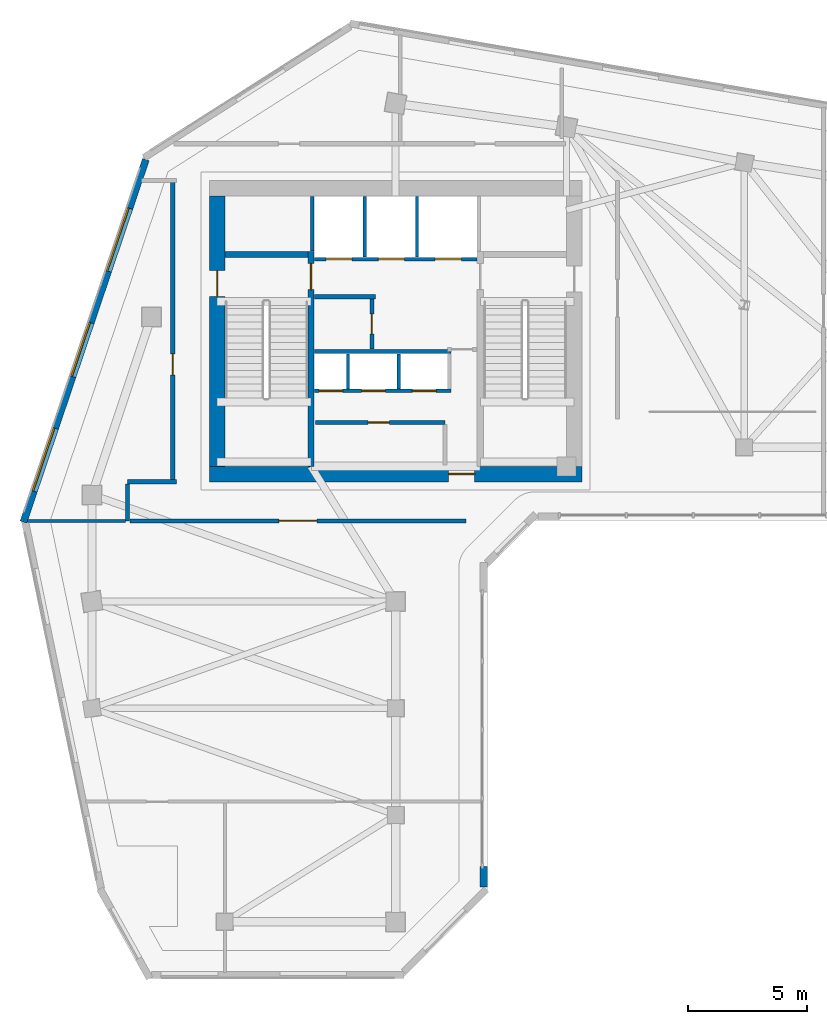
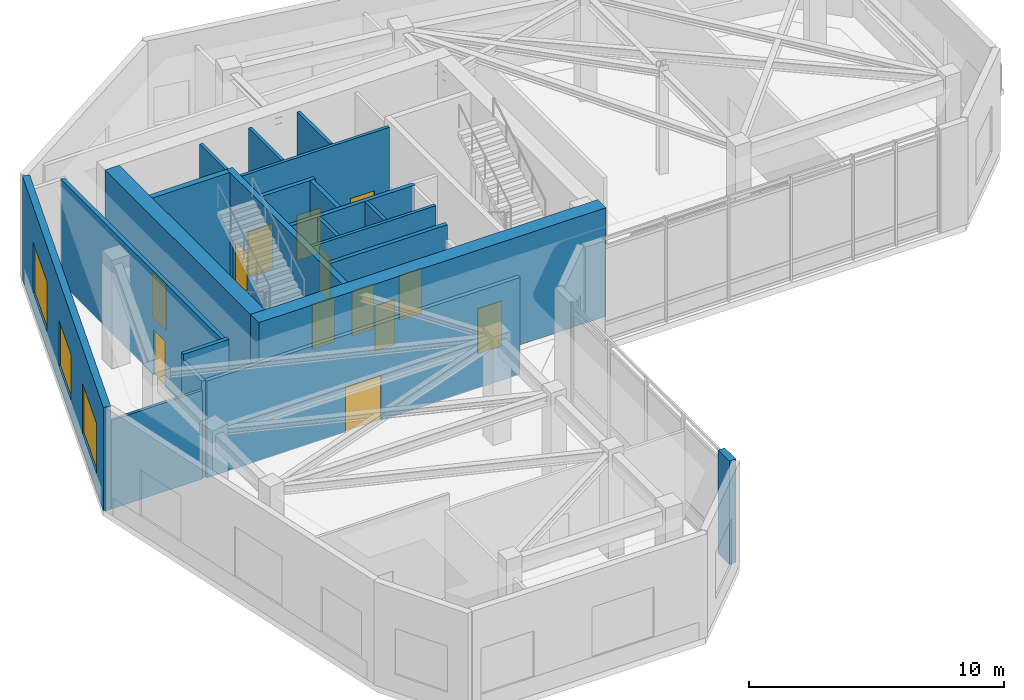
# One storey, part 5 of 10: 22 walls, 13 doors, 3 windows, 16 openings.
"""IFC4 building model written with IfcOpenShell, lengths in metres."""

from ifc_helpers import new_model, si_unit, direction, frame, frame_2d, origin, place, context, subcontext, project, spatial, rectangle, extrude, source, transform, mapped, material, layer, layer_set, type_object, element, fill, save


model = new_model("IFC4")

# Units and contexts
model_context = context("Model", 3, precision=1e-05, world=origin(), true_north=direction((0.0, 1.0)))
body_context = subcontext(model_context, "Body", "Model", "MODEL_VIEW")
ifc_project = project(units=[si_unit("LENGTHUNIT", "METRE"), si_unit("AREAUNIT", "SQUARE_METRE"), si_unit("VOLUMEUNIT", "CUBIC_METRE"), si_unit("PLANEANGLEUNIT", "RADIAN"), si_unit("MASSUNIT", "GRAM", prefix="KILO")], contexts=[model_context])

# Site, building, storey
site_placement = place(None, origin())
site = spatial("IfcSite", under=ifc_project, at=site_placement, CompositionType="ELEMENT")
building_placement = place(site_placement, origin())
building = spatial("IfcBuilding", under=site, at=building_placement, Name="Calvemar Wedge Station Tower", CompositionType="ELEMENT")
storey_placement = place(building_placement, frame((0.0, 0.0, 178.199951171875)))
storey = spatial("IfcBuildingStorey", under=building, at=storey_placement, Name="L44", CompositionType="ELEMENT", Elevation=178.199951171875)

# Wall, opening, door
ifc_material_1 = material(Name="Concrete C50", Category="concrete")
ifc_layer_1 = layer(ifc_material_1, 0.260009765625)
ifc_layer_set_1 = layer_set([ifc_layer_1], Name="Concrete C50")
wall_type_1 = type_object("IfcWallType", Name="SW-CORE-260", PredefinedType="SHEAR", material=ifc_layer_set_1)
wall_1_placement = place(storey_placement, frame((20.22998046875, 34.199951171875, 0.0), z_axis=(0.0, 0.0, 1.0), x_axis=(0.0, 1.0, 0.0)))
wall_1 = element("IfcWall", 1, at=wall_1_placement, inside=storey, type_object=wall_type_1, Name="Storey L44 Core Shear Wall SPINE-W", PredefinedType="SHEAR", context=body_context, shape_type="SweptSolid", body=[
    extrude(rectangle(XDim=9.06005859375, YDim=0.260009765625, at=frame_2d((4.530029296875, 0.0))), origin(), (0.0, 0.0, 1.0), 5.199951171875),
])
shared_shape_1 = source(origin(), body_context, "Body", "SweptSolid", [
    extrude(rectangle(XDim=1.10009765625, YDim=2.14990234375, at=frame_2d((0.550048828125, 1.074951171875))), frame((0.0, 0.14013671875, 0.0), z_axis=(0.0, -1.0, 0.0), x_axis=(1.0, 0.0, 0.0)), (0.0, 0.0, 1.0), 0.280029296875),
])
opening_1_placement = place(wall_1_placement, frame((7.449951171875, 0.0, 0.0)))
opening_1 = element("IfcOpeningElement", 2, at=opening_1_placement, cuts=wall_1, Name="Opening FD-90", PredefinedType="OPENING", context=body_context, shape_type="MappedRepresentation", body=[
    mapped(shared_shape_1, transform((0.0, 0.0, 0.0), scale=1.0)),
])
ifc_material_2 = material(Name="Galvanized fire-rated steel door leaf P-90", Category="steel")
door_type_1 = type_object("IfcDoorType", Name="DR-FD90-1100", OperationType="NOTDEFINED", PredefinedType="DOOR", material=ifc_material_2)
shared_shape_2 = source(origin(), body_context, "Body", "SweptSolid", [
    extrude(rectangle(XDim=1.10009765625, YDim=2.14990234375, at=frame_2d((0.550048828125, 1.074951171875))), frame((0.0, 0.02490234375, 0.0), z_axis=(0.0, -1.0, 0.0), x_axis=(1.0, 0.0, 0.0)), (0.0, 0.0, 1.0), 0.050048828125),
])
door_1_placement = place(opening_1_placement, origin())
door_1 = element("IfcDoor", 3, at=door_1_placement, inside=storey, type_object=door_type_1, Name="L44 FF Lobby to Stair ST-C1 Door", OperationType="SINGLE_SWING_LEFT", OverallHeight=2.14990234375, OverallWidth=1.10009765625, PredefinedType="DOOR", context=body_context, shape_type="MappedRepresentation", body=[
    mapped(shared_shape_2, transform((0.0, 0.0, 0.0), scale=1.0)),
])
fill(opening_1, door_1)

# Wall
wall_2_placement = place(storey_placement, frame((16.60009765625, 43.1298828125, 0.0), z_axis=(0.0, 0.0, 1.0), x_axis=(1.0, 0.0, 0.0)))
element("IfcWall", 4, at=wall_2_placement, inside=storey, type_object=wall_type_1, Name="Storey L44 Core Shear Wall STC1-N", PredefinedType="SHEAR", context=body_context, shape_type="SweptSolid", body=[
    extrude(rectangle(XDim=3.5, YDim=0.260009765625, at=frame_2d((1.75, 0.0))), origin(), (0.0, 0.0, 1.0), 5.199951171875),
])

# Wall, opening, door
ifc_material_3 = material(Name="Concrete C60", Category="concrete")
ifc_layer_2 = layer(ifc_material_3, 0.64990234375)
ifc_layer_set_2 = layer_set([ifc_layer_2], Name="Concrete C60")
wall_type_2 = type_object("IfcWallType", Name="SW-CORE-650", PredefinedType="SHEAR", material=ifc_layer_set_2)
wall_3_placement = place(storey_placement, frame((15.949951171875, 33.875, 0.0), z_axis=(0.0, 0.0, 1.0), x_axis=(1.0, 0.0, 0.0)))
wall_3 = element("IfcWall", 5, at=wall_3_placement, inside=storey, type_object=wall_type_2, Name="Storey L44 Core Shear Wall S", PredefinedType="SHEAR", context=body_context, shape_type="SweptSolid", body=[
    extrude(rectangle(XDim=15.699951171875, YDim=0.64990234375, at=frame_2d((7.85009765625, 0.0))), origin(), (0.0, 0.0, 1.0), 5.199951171875),
])
shared_shape_3 = source(origin(), body_context, "Body", "SweptSolid", [
    extrude(rectangle(XDim=1.10009765625, YDim=2.14990234375, at=frame_2d((0.550048828125, 1.074951171875))), frame((0.0, 0.3349609375, 0.0), z_axis=(0.0, -1.0, 0.0), x_axis=(1.0, 0.0, 0.0)), (0.0, 0.0, 1.0), 0.669921875),
])
opening_2_placement = place(wall_3_placement, frame((10.080078125, 0.0, 0.0)))
opening_2 = element("IfcOpeningElement", 6, at=opening_2_placement, cuts=wall_3, Name="Opening FD-90", PredefinedType="OPENING", context=body_context, shape_type="MappedRepresentation", body=[
    mapped(shared_shape_3, transform((0.0, 0.0, 0.0), scale=1.0)),
])
door_2_placement = place(opening_2_placement, origin())
door_2 = element("IfcDoor", 7, at=door_2_placement, inside=storey, type_object=door_type_1, Name="L44 Passenger Lift Lobby Door", OperationType="SINGLE_SWING_LEFT", OverallHeight=2.14990234375, OverallWidth=1.10009765625, PredefinedType="DOOR", context=body_context, shape_type="MappedRepresentation", body=[
    mapped(shared_shape_2, transform((0.0, 0.0, 0.0), scale=1.0)),
])
fill(opening_2, door_2)

wall_4_placement = place(storey_placement, frame((16.27490234375, 34.199951171875, 0.0), z_axis=(0.0, 0.0, 1.0), x_axis=(0.0, 1.0, 0.0)))
wall_4 = element("IfcWall", 8, at=wall_4_placement, inside=storey, type_object=wall_type_2, Name="Storey L44 Core Shear Wall W", PredefinedType="SHEAR", context=body_context, shape_type="SweptSolid", body=[
    extrude(rectangle(XDim=11.400146484375, YDim=0.64990234375, at=frame_2d((5.7001953125, 0.0))), origin(), (0.0, 0.0, 1.0), 5.199951171875),
])
opening_3_placement = place(wall_4_placement, frame((7.14990234375, 0.0, 0.0)))
opening_3 = element("IfcOpeningElement", 9, at=opening_3_placement, cuts=wall_4, Name="Opening FD-90", PredefinedType="OPENING", context=body_context, shape_type="MappedRepresentation", body=[
    mapped(shared_shape_3, transform((0.0, 0.0, 0.0), scale=1.0)),
])
door_3_placement = place(opening_3_placement, origin())
door_3 = element("IfcDoor", 10, at=door_3_placement, inside=storey, type_object=door_type_1, Name="L44 West Corridor to Exit Stair ST-C1 Door", OperationType="SINGLE_SWING_LEFT", OverallHeight=2.14990234375, OverallWidth=1.10009765625, PredefinedType="DOOR", context=body_context, shape_type="MappedRepresentation", body=[
    mapped(shared_shape_2, transform((0.0, 0.0, 0.0), scale=1.0)),
])
fill(opening_3, door_3)

# Wall
ifc_material_4 = material(Name="Double-stud fire-rated corridor partition")
ifc_layer_3 = layer(ifc_material_4, 0.179931640625)
ifc_layer_set_3 = layer_set([ifc_layer_3], Name="Double-stud fire-rated corridor partition")
wall_type_3 = type_object("IfcWallType", Name="W-CORR-180", PredefinedType="PARTITIONING", material=ifc_layer_set_3)
wall_5_placement = place(storey_placement, frame((22.9599609375, 41.35009765625, 0.0), z_axis=(0.0, 0.0, 1.0), x_axis=(-1.0, 0.0, 0.0)))
element("IfcWall", 11, at=wall_5_placement, inside=storey, type_object=wall_type_3, Name="Storey L44 Interior Partition WL-L44-001", PredefinedType="PARTITIONING", context=body_context, shape_type="SweptSolid", body=[
    extrude(rectangle(XDim=2.580078125, YDim=0.179931640625, at=frame_2d((1.2900390625, 0.0))), origin(), (0.0, 0.0, 1.0), 4.949951171875),
])

# Wall, opening, door
wall_6_placement = place(storey_placement, frame((22.800048828125, 41.256103515625, 0.0), z_axis=(0.0, 0.0, 1.0), x_axis=(0.0, -1.0, 0.0)))
wall_6 = element("IfcWall", 12, at=wall_6_placement, inside=storey, type_object=wall_type_3, Name="Storey L44 Interior Partition WL-L44-002", PredefinedType="PARTITIONING", context=body_context, shape_type="SweptSolid", body=[
    extrude(rectangle(XDim=2.106201171875, YDim=0.179931640625, at=frame_2d((1.05322265625, 0.0))), origin(), (0.0, 0.0, 1.0), 4.949951171875),
])
shared_shape_4 = source(origin(), body_context, "Body", "SweptSolid", [
    extrude(rectangle(XDim=0.85009765625, YDim=2.14990234375, at=frame_2d((0.425048828125, 1.074951171875))), frame((0.0, 0.10009765625, 0.0), z_axis=(0.0, -1.0, 0.0), x_axis=(1.0, 0.0, 0.0)), (0.0, 0.0, 1.0), 0.199951171875),
])
opening_4_placement = place(wall_6_placement, frame((0.6279296875, 0.0, 0.0)))
opening_4 = element("IfcOpeningElement", 13, at=opening_4_placement, cuts=wall_6, Name="Opening FD-60S", PredefinedType="OPENING", context=body_context, shape_type="MappedRepresentation", body=[
    mapped(shared_shape_4, transform((0.0, 0.0, 0.0), scale=1.0)),
])
ifc_material_5 = material(Name="Fire-rated steel and hardwood service door EI 60", Category="steel")
door_type_2 = type_object("IfcDoorType", Name="DR-CORE-FD60-850", OperationType="NOTDEFINED", PredefinedType="DOOR", material=ifc_material_5)
shared_shape_5 = source(origin(), body_context, "Body", "SweptSolid", [
    extrude(rectangle(XDim=0.85009765625, YDim=2.14990234375, at=frame_2d((0.425048828125, 1.074951171875))), frame((0.0, 0.02490234375, 0.0), z_axis=(0.0, -1.0, 0.0), x_axis=(1.0, 0.0, 0.0)), (0.0, 0.0, 1.0), 0.050048828125),
])
door_4_placement = place(opening_4_placement, origin())
door_4 = element("IfcDoor", 14, at=door_4_placement, inside=storey, type_object=door_type_2, Name="L44 Core Electrical Switch Room Door", OperationType="SINGLE_SWING_RIGHT", OverallHeight=2.14990234375, OverallWidth=0.85009765625, PredefinedType="DOOR", context=body_context, shape_type="MappedRepresentation", body=[
    mapped(shared_shape_5, transform((0.0, 0.0, 0.0), scale=1.0)),
])
fill(opening_4, door_4)

wall_7_placement = place(storey_placement, frame((20.419921875, 36.050048828125, 0.0), z_axis=(0.0, 0.0, 1.0), x_axis=(1.0, 0.0, 0.0)))
wall_7 = element("IfcWall", 15, at=wall_7_placement, inside=storey, type_object=wall_type_3, Name="Storey L44 Interior Partition WL-L44-004", PredefinedType="PARTITIONING", context=body_context, shape_type="SweptSolid", body=[
    extrude(rectangle(XDim=5.4599609375, YDim=0.179931640625, at=frame_2d((2.72998046875, 0.0))), origin(), (0.0, 0.0, 1.0), 4.949951171875),
])
shared_shape_6 = source(origin(), body_context, "Body", "SweptSolid", [
    extrude(rectangle(XDim=0.89990234375, YDim=2.14990234375, at=frame_2d((0.449951171875, 1.074951171875))), frame((0.0, 0.10009765625, 0.0), z_axis=(0.0, -1.0, 0.0), x_axis=(1.0, 0.0, 0.0)), (0.0, 0.0, 1.0), 0.199951171875),
])
opening_5_placement = place(wall_7_placement, frame((2.219482421875, 0.0, 0.0)))
opening_5 = element("IfcOpeningElement", 16, at=opening_5_placement, cuts=wall_7, Name="Opening FD-60", PredefinedType="OPENING", context=body_context, shape_type="MappedRepresentation", body=[
    mapped(shared_shape_6, transform((0.0, 0.0, 0.0), scale=1.0)),
])
ifc_material_6 = material(Name="Fire-rated acoustic timber-core entrance door EI 60", Category="wood")
door_type_3 = type_object("IfcDoorType", Name="DR-FD60-900", OperationType="NOTDEFINED", PredefinedType="DOOR", material=ifc_material_6)
shared_shape_7 = source(origin(), body_context, "Body", "SweptSolid", [
    extrude(rectangle(XDim=0.89990234375, YDim=2.14990234375, at=frame_2d((0.449951171875, 1.074951171875))), frame((0.0, 0.02490234375, 0.0), z_axis=(0.0, -1.0, 0.0), x_axis=(1.0, 0.0, 0.0)), (0.0, 0.0, 1.0), 0.050048828125),
])
door_5_placement = place(opening_5_placement, origin())
door_5 = element("IfcDoor", 17, at=door_5_placement, inside=storey, type_object=door_type_3, Name="L44 Parcel and Resident Store Door", OperationType="SINGLE_SWING_RIGHT", OverallHeight=2.14990234375, OverallWidth=0.89990234375, PredefinedType="DOOR", context=body_context, shape_type="MappedRepresentation", body=[
    mapped(shared_shape_7, transform((0.0, 0.0, 0.0), scale=1.0)),
])
fill(opening_5, door_5)

# Walls
wall_8_placement = place(storey_placement, frame((12.5, 33.550048828125, 0.0), z_axis=(0.0, 0.0, 1.0), x_axis=(1.0, 0.0, 0.0)))
element("IfcWall", 18, at=wall_8_placement, inside=storey, type_object=wall_type_3, Name="Storey L44 Interior Partition WL-L44-006", PredefinedType="PARTITIONING", context=body_context, shape_type="SweptSolid", body=[
    extrude(rectangle(XDim=2.06005859375, YDim=0.179931640625, at=frame_2d((1.030029296875, 0.0))), origin(), (0.0, 0.0, 1.0), 4.949951171875),
])
wall_9_placement = place(storey_placement, frame((12.5, 31.89990234375, 0.0), z_axis=(0.0, 0.0, 1.0), x_axis=(0.0, 1.0, 0.0)))
element("IfcWall", 19, at=wall_9_placement, inside=storey, type_object=wall_type_3, Name="Storey L44 Interior Partition WL-L44-007", PredefinedType="PARTITIONING", context=body_context, shape_type="SweptSolid", body=[
    extrude(rectangle(XDim=1.55615234375, YDim=0.179931640625, at=frame_2d((0.778076171875, 0.0))), origin(), (0.0, 0.0, 1.0), 4.634033203125),
])

# Wall, opening, door
wall_10_placement = place(storey_placement, frame((26.760009765625, 31.89990234375, 0.0), z_axis=(0.0, 0.0, 1.0), x_axis=(-1.0, 0.0, 0.0)))
wall_10 = element("IfcWall", 20, at=wall_10_placement, inside=storey, type_object=wall_type_3, Name="Storey L44 Interior Partition WL-L44-008", PredefinedType="PARTITIONING", context=body_context, shape_type="SweptSolid", body=[
    extrude(rectangle(XDim=14.166015625, YDim=0.179931640625, at=frame_2d((7.0830078125, 0.0))), origin(), (0.0, 0.0, 1.0), 4.634033203125),
])
shared_shape_8 = source(origin(), body_context, "Body", "SweptSolid", [
    extrude(rectangle(XDim=1.60009765625, YDim=2.14990234375, at=frame_2d((0.800048828125, 1.074951171875))), frame((0.0, 0.10009765625, 0.0), z_axis=(0.0, -1.0, 0.0), x_axis=(1.0, 0.0, 0.0)), (0.0, 0.0, 1.0), 0.199951171875),
])
opening_6_placement = place(wall_10_placement, frame((6.282958984375, 0.0, 0.0)))
opening_6 = element("IfcOpeningElement", 21, at=opening_6_placement, cuts=wall_10, Name="Opening DD-160", PredefinedType="OPENING", context=body_context, shape_type="MappedRepresentation", body=[
    mapped(shared_shape_8, transform((0.0, 0.0, 0.0), scale=1.0)),
])
ifc_material_7 = material(Name="Double-leaf fire-rated lobby door EI 60")
door_type_4 = type_object("IfcDoorType", Name="DR-DBL-1600", OperationType="DOUBLE_DOOR_SINGLE_SWING", PredefinedType="DOOR", material=ifc_material_7)
shared_shape_9 = source(origin(), body_context, "Body", "SweptSolid", [
    extrude(rectangle(XDim=1.60009765625, YDim=2.14990234375, at=frame_2d((0.800048828125, 1.074951171875))), frame((0.0, 0.02490234375, 0.0), z_axis=(0.0, -1.0, 0.0), x_axis=(1.0, 0.0, 0.0)), (0.0, 0.0, 1.0), 0.050048828125),
])
door_6_placement = place(opening_6_placement, origin())
door_6 = element("IfcDoor", 22, at=door_6_placement, inside=storey, type_object=door_type_4, Name="L44 Resident Club Lounge Door", OperationType="SINGLE_SWING_RIGHT", OverallHeight=2.14990234375, OverallWidth=1.60009765625, PredefinedType="DOOR", context=body_context, shape_type="MappedRepresentation", body=[
    mapped(shared_shape_9, transform((0.0, 0.0, 0.0), scale=1.0)),
])
fill(opening_6, door_6)

wall_11_placement = place(storey_placement, frame((14.39990234375, 33.64404296875, 0.0), z_axis=(0.0, 0.0, 1.0), x_axis=(0.0, 1.0, 0.0)))
wall_11 = element("IfcWall", 23, at=wall_11_placement, inside=storey, type_object=wall_type_3, Name="Storey L44 Interior Partition WL-L44-009", PredefinedType="PARTITIONING", context=body_context, shape_type="SweptSolid", body=[
    extrude(rectangle(XDim=12.60595703125, YDim=0.179931640625, at=frame_2d((6.302978515625, 0.0))), origin(), (0.0, 0.0, 1.0), 4.949951171875),
])
opening_7_placement = place(wall_11_placement, frame((4.399169921875, 0.0, 0.0)))
opening_7 = element("IfcOpeningElement", 24, at=opening_7_placement, cuts=wall_11, Name="Opening D-01", PredefinedType="OPENING", context=body_context, shape_type="MappedRepresentation", body=[
    mapped(shared_shape_6, transform((0.0, 0.0, 0.0), scale=1.0)),
])
ifc_material_8 = material(Name="Architectural hardwood acoustic swing door", Category="wood")
door_type_5 = type_object("IfcDoorType", Name="DR-INT-900", OperationType="NOTDEFINED", PredefinedType="DOOR", material=ifc_material_8)
shared_shape_10 = source(origin(), body_context, "Body", "SweptSolid", [
    extrude(rectangle(XDim=0.89990234375, YDim=2.14990234375, at=frame_2d((0.449951171875, 1.074951171875))), frame((0.0, 0.02490234375, 0.0), z_axis=(0.0, -1.0, 0.0), x_axis=(1.0, 0.0, 0.0)), (0.0, 0.0, 1.0), 0.050048828125),
])
door_7_placement = place(opening_7_placement, origin())
door_7 = element("IfcDoor", 25, at=door_7_placement, inside=storey, type_object=door_type_5, Name="L44 Executive Lounge Door", OperationType="SINGLE_SWING_LEFT", OverallHeight=2.14990234375, OverallWidth=0.89990234375, PredefinedType="DOOR", context=body_context, shape_type="MappedRepresentation", body=[
    mapped(shared_shape_10, transform((0.0, 0.0, 0.0), scale=1.0)),
])
fill(opening_7, door_7)

# Wall
ifc_material_9 = material(Name="Precast concrete C45", Category="concrete")
ifc_layer_4 = layer(ifc_material_9, 0.300048828125)
ifc_layer_set_4 = layer_set([ifc_layer_4], Name="Precast concrete C45")
wall_type_4 = type_object("IfcWallType", Name="W-EXT-GFRC-300", PredefinedType="SOLIDWALL", material=ifc_layer_set_4)
wall_12_placement = place(storey_placement, frame((27.513916015625, 16.457275390625, 0.0), z_axis=(0.0, 0.0, 1.0), x_axis=(0.0, 1.0, 0.0)))
element("IfcWall", 26, at=wall_12_placement, inside=storey, type_object=wall_type_4, Name="Storey L44 Bronze GFRC Corner Pier 4A", PredefinedType="SOLIDWALL", context=body_context, shape_type="SweptSolid", body=[
    extrude(rectangle(XDim=0.8798828125, YDim=0.300048828125, at=frame_2d((0.43994140625, 0.0))), origin(), (0.0, 0.0, 1.0), 4.949951171875),
])

# Wall, openings, windows
wall_13_placement = place(storey_placement, frame((13.2685546875, 47.1337890625, 0.0), z_axis=(0.0, 0.0, 1.0), x_axis=(-0.319920776449, -0.947444297464, 0.0)))
wall_13 = element("IfcWall", 27, at=wall_13_placement, inside=storey, type_object=wall_type_4, Name="Storey L44 Bronze GFRC Exterior Wall 12", PredefinedType="SOLIDWALL", context=body_context, shape_type="SweptSolid", body=[
    extrude(rectangle(XDim=16.13330078125, YDim=0.300048828125, at=frame_2d((8.066650390625, 0.0))), origin(), (0.0, 0.0, 1.0), 4.949951171875),
])
shared_shape_11 = source(origin(), body_context, "Body", "SweptSolid", [
    extrude(rectangle(XDim=2.800048828125, YDim=2.39990234375, at=frame_2d((1.39990234375, 1.199951171875))), frame((0.0, 0.16015625, 0.0), z_axis=(0.0, -1.0, 0.0), x_axis=(1.0, 0.0, 0.0)), (0.0, 0.0, 1.0), 0.320068359375),
])
opening_8_placement = place(wall_13_placement, frame((2.1630859375, 0.0, 0.85009765625)))
opening_8 = element("IfcOpeningElement", 28, at=opening_8_placement, cuts=wall_13, Name="Opening W6", PredefinedType="OPENING", context=body_context, shape_type="MappedRepresentation", body=[
    mapped(shared_shape_11, transform((0.0, 0.0, 0.0), scale=1.0)),
])
shared_shape_12 = source(origin(), body_context, "Body", "SweptSolid", [
    extrude(rectangle(XDim=2.39990234375, YDim=2.199951171875, at=frame_2d((1.199951171875, 1.10009765625))), frame((0.0, 0.16015625, 0.0), z_axis=(0.0, -1.0, 0.0), x_axis=(1.0, 0.0, 0.0)), (0.0, 0.0, 1.0), 0.320068359375),
])
opening_9_placement = place(wall_13_placement, frame((7.260009765625, 0.0, 0.85009765625)))
opening_9 = element("IfcOpeningElement", 29, at=opening_9_placement, cuts=wall_13, Name="Opening W1", PredefinedType="OPENING", context=body_context, shape_type="MappedRepresentation", body=[
    mapped(shared_shape_12, transform((0.0, 0.0, 0.0), scale=1.0)),
])
opening_10_placement = place(wall_13_placement, frame((11.95703125, 0.0, 0.85009765625)))
opening_10 = element("IfcOpeningElement", 30, at=opening_10_placement, cuts=wall_13, Name="Opening W6", PredefinedType="OPENING", context=body_context, shape_type="MappedRepresentation", body=[
    mapped(shared_shape_11, transform((0.0, 0.0, 0.0), scale=1.0)),
])
ifc_material_10 = material(Name="Low-E laminated insulated glass", Category="glass")
window_type_1 = type_object("IfcWindowType", Name="WIN-EXT-6", PartitioningType="SINGLE_PANEL", PredefinedType="WINDOW", material=ifc_material_10)
shared_shape_13 = source(origin(), body_context, "Body", "SweptSolid", [
    extrude(rectangle(XDim=2.800048828125, YDim=2.39990234375, at=frame_2d((1.39990234375, 1.199951171875))), frame((0.0, -0.014892578125, 0.0), z_axis=(0.0, -1.0, 0.0), x_axis=(1.0, 0.0, 0.0)), (0.0, 0.0, 1.0), 0.06005859375),
])
window_1_placement = place(opening_8_placement, origin())
window_1 = element("IfcWindow", 31, at=window_1_placement, inside=storey, type_object=window_type_1, Name="Storey L44 Recessed Window 12.1", OverallHeight=2.39990234375, OverallWidth=2.800048828125, PartitioningType="SINGLE_PANEL", PredefinedType="WINDOW", context=body_context, shape_type="MappedRepresentation", body=[
    mapped(shared_shape_13, transform((0.0, 0.0, 0.0), scale=1.0)),
])
fill(opening_8, window_1)
window_2_placement = place(opening_10_placement, origin())
window_2 = element("IfcWindow", 32, at=window_2_placement, inside=storey, type_object=window_type_1, Name="Storey L44 Recessed Window 12.3", OverallHeight=2.39990234375, OverallWidth=2.800048828125, PartitioningType="SINGLE_PANEL", PredefinedType="WINDOW", context=body_context, shape_type="MappedRepresentation", body=[
    mapped(shared_shape_13, transform((0.0, 0.0, 0.0), scale=1.0)),
])
fill(opening_10, window_2)
window_type_2 = type_object("IfcWindowType", Name="WIN-EXT-1", PartitioningType="SINGLE_PANEL", PredefinedType="WINDOW", material=ifc_material_10)
shared_shape_14 = source(origin(), body_context, "Body", "SweptSolid", [
    extrude(rectangle(XDim=2.39990234375, YDim=2.199951171875, at=frame_2d((1.199951171875, 1.10009765625))), frame((0.0, -0.014892578125, 0.0), z_axis=(0.0, -1.0, 0.0), x_axis=(1.0, 0.0, 0.0)), (0.0, 0.0, 1.0), 0.06005859375),
])
window_3_placement = place(opening_9_placement, origin())
window_3 = element("IfcWindow", 33, at=window_3_placement, inside=storey, type_object=window_type_2, Name="Storey L44 Recessed Window 12.2", OverallHeight=2.199951171875, OverallWidth=2.39990234375, PartitioningType="SINGLE_PANEL", PredefinedType="WINDOW", context=body_context, shape_type="MappedRepresentation", body=[
    mapped(shared_shape_14, transform((0.0, 0.0, 0.0), scale=1.0)),
])
fill(opening_9, window_3)

# Wall, openings, doors
ifc_material_11 = material(Name="Reinforced concrete blockwork lift shaft wall", Category="masonry")
ifc_layer_5 = layer(ifc_material_11, 0.139892578125)
ifc_layer_set_5 = layer_set([ifc_layer_5], Name="Reinforced concrete blockwork lift shaft wall")
wall_type_5 = type_object("IfcWallType", Name="W-LIFT-160", PredefinedType="SOLIDWALL", material=ifc_layer_set_5)
wall_14_placement = place(storey_placement, frame((20.3701171875, 42.929931640625, 0.0), z_axis=(0.0, 0.0, 1.0), x_axis=(1.0, 0.0, 0.0)))
wall_14 = element("IfcWall", 34, at=wall_14_placement, inside=storey, type_object=wall_type_5, Name="Storey L44 Firefighting and Service Lift Shaft Front Wall", PredefinedType="SOLIDWALL", context=body_context, shape_type="SweptSolid", body=[
    extrude(rectangle(XDim=6.85986328125, YDim=0.139892578125, at=frame_2d((3.429931640625, 0.0))), origin(), (0.0, 0.0, 1.0), 4.949951171875),
])
shared_shape_15 = source(origin(), body_context, "Body", "SweptSolid", [
    extrude(rectangle(XDim=1.10009765625, YDim=2.14990234375, at=frame_2d((0.550048828125, 1.074951171875))), frame((0.0, 0.080078125, 0.0), z_axis=(0.0, -1.0, 0.0), x_axis=(1.0, 0.0, 0.0)), (0.0, 0.0, 1.0), 0.159912109375),
])
opening_11_placement = place(wall_14_placement, frame((0.5, 0.0, 0.0)))
opening_11 = element("IfcOpeningElement", 35, at=opening_11_placement, cuts=wall_14, Name="Opening LD-FF", PredefinedType="OPENING", context=body_context, shape_type="MappedRepresentation", body=[
    mapped(shared_shape_15, transform((0.0, 0.0, 0.0), scale=1.0)),
])
opening_12_placement = place(wall_14_placement, frame((2.699951171875, 0.0, 0.0)))
opening_12 = element("IfcOpeningElement", 36, at=opening_12_placement, cuts=wall_14, Name="Opening LD-FF", PredefinedType="OPENING", context=body_context, shape_type="MappedRepresentation", body=[
    mapped(shared_shape_15, transform((0.0, 0.0, 0.0), scale=1.0)),
])
opening_13_placement = place(wall_14_placement, frame((5.10009765625, 0.0, 0.0)))
opening_13 = element("IfcOpeningElement", 37, at=opening_13_placement, cuts=wall_14, Name="Opening LD-STN", PredefinedType="OPENING", context=body_context, shape_type="MappedRepresentation", body=[
    mapped(shared_shape_15, transform((0.0, 0.0, 0.0), scale=1.0)),
])
ifc_material_12 = material(Name="Stainless steel firefighting lift sliding landing door", Category="steel")
door_type_6 = type_object("IfcDoorType", Name="DR-LD-FF-1100", OperationType="SLIDING_TO_LEFT", PredefinedType="DOOR", material=ifc_material_12)
shared_shape_16 = source(origin(), body_context, "Body", "SweptSolid", [
    extrude(rectangle(XDim=1.10009765625, YDim=2.14990234375, at=frame_2d((0.550048828125, 1.074951171875))), frame((0.0, 0.02490234375, 0.0), z_axis=(0.0, -1.0, 0.0), x_axis=(1.0, 0.0, 0.0)), (0.0, 0.0, 1.0), 0.050048828125),
])
door_8_placement = place(opening_11_placement, origin())
door_8 = element("IfcDoor", 38, at=door_8_placement, inside=storey, type_object=door_type_6, Name="L44 Lift FF-01 Sliding Landing Door", OperationType="SLIDING_TO_LEFT", OverallHeight=2.14990234375, OverallWidth=1.10009765625, PredefinedType="DOOR", context=body_context, shape_type="MappedRepresentation", body=[
    mapped(shared_shape_16, transform((0.0, 0.0, 0.0), scale=1.0)),
])
fill(opening_11, door_8)
door_9_placement = place(opening_12_placement, origin())
door_9 = element("IfcDoor", 39, at=door_9_placement, inside=storey, type_object=door_type_6, Name="L44 Lift FF-02 Sliding Landing Door", OperationType="SLIDING_TO_RIGHT", OverallHeight=2.14990234375, OverallWidth=1.10009765625, PredefinedType="DOOR", context=body_context, shape_type="MappedRepresentation", body=[
    mapped(shared_shape_16, transform((0.0, 0.0, 0.0), scale=1.0)),
])
fill(opening_12, door_9)
ifc_material_13 = material(Name="Stainless steel transit lift sliding landing door", Category="steel")
door_type_7 = type_object("IfcDoorType", Name="DR-LD-PAX-1100", OperationType="SLIDING_TO_LEFT", PredefinedType="DOOR", material=ifc_material_13)
shared_shape_17 = source(origin(), body_context, "Body", "SweptSolid", [
    extrude(rectangle(XDim=1.10009765625, YDim=2.14990234375, at=frame_2d((0.550048828125, 1.074951171875))), frame((0.0, 0.02490234375, 0.0), z_axis=(0.0, -1.0, 0.0), x_axis=(1.0, 0.0, 0.0)), (0.0, 0.0, 1.0), 0.050048828125),
])
door_10_placement = place(opening_13_placement, origin())
door_10 = element("IfcDoor", 40, at=door_10_placement, inside=storey, type_object=door_type_7, Name="L44 Lift SV-01 Sliding Landing Door", OperationType="SLIDING_TO_LEFT", OverallHeight=2.14990234375, OverallWidth=1.10009765625, PredefinedType="DOOR", context=body_context, shape_type="MappedRepresentation", body=[
    mapped(shared_shape_17, transform((0.0, 0.0, 0.0), scale=1.0)),
])
fill(opening_13, door_10)

# Walls
wall_15_placement = place(storey_placement, frame((20.2900390625, 43.280029296875, 0.0), z_axis=(0.0, 0.0, 1.0), x_axis=(0.0, 1.0, 0.0)))
element("IfcWall", 41, at=wall_15_placement, inside=storey, type_object=wall_type_5, Name="Storey L44 Firefighting Lift Shaft Enclosure Wall W", PredefinedType="SOLIDWALL", context=body_context, shape_type="SweptSolid", body=[
    extrude(rectangle(XDim=2.300048828125, YDim=0.139892578125, at=frame_2d((1.14990234375, 0.0))), origin(), (0.0, 0.0, 1.0), 4.949951171875),
])
for number, where, z_axis, x_axis, name in (
    (42, (22.5, 43.02001953125, 0.0), (0.0, 0.0, 1.0), (0.0, 1.0, 0.0), "Storey L44 Firefighting Lift Shaft Enclosure Wall D1"),
    (43, (24.699951171875, 43.02001953125, 0.0), (0.0, 0.0, 1.0), (0.0, 1.0, 0.0), "Storey L44 Firefighting Lift Shaft Enclosure Wall D2"),
):
    element("IfcWall", number, at=place(storey_placement, frame(where, z_axis=z_axis, x_axis=x_axis)), inside=storey, type_object=wall_type_5, Name=name, PredefinedType="SOLIDWALL", context=body_context, shape_type="SweptSolid", body=[
        extrude(rectangle(XDim=2.56005859375, YDim=0.139892578125, at=frame_2d((1.280029296875, 0.0))), origin(), (0.0, 0.0, 1.0), 4.949951171875),
    ])

# Wall, openings, doors
wall_16_placement = place(storey_placement, frame((20.3798828125, 37.3798828125, 0.0), z_axis=(0.0, 0.0, 1.0), x_axis=(1.0, 0.0, 0.0)))
wall_16 = element("IfcWall", 44, at=wall_16_placement, inside=storey, type_object=wall_type_5, Name="Storey L44 Upper Passenger Lift Bank Front Wall", PredefinedType="SOLIDWALL", context=body_context, shape_type="SweptSolid", body=[
    extrude(rectangle(XDim=5.75, YDim=0.139892578125, at=frame_2d((2.875, 0.0))), origin(), (0.0, 0.0, 1.0), 4.949951171875),
])
shared_shape_18 = source(origin(), body_context, "Body", "SweptSolid", [
    extrude(rectangle(XDim=1.0, YDim=2.14990234375, at=frame_2d((0.5, 1.074951171875))), frame((0.0, 0.080078125, 0.0), z_axis=(0.0, -1.0, 0.0), x_axis=(1.0, 0.0, 0.0)), (0.0, 0.0, 1.0), 0.159912109375),
])
opening_14_placement = place(wall_16_placement, frame((0.18994140625, 0.0, 0.0)))
opening_14 = element("IfcOpeningElement", 45, at=opening_14_placement, cuts=wall_16, Name="Opening LD-PAX", PredefinedType="OPENING", context=body_context, shape_type="MappedRepresentation", body=[
    mapped(shared_shape_18, transform((0.0, 0.0, 0.0), scale=1.0)),
])
opening_15_placement = place(wall_16_placement, frame((1.985107421875, 0.0, 0.0)))
opening_15 = element("IfcOpeningElement", 46, at=opening_15_placement, cuts=wall_16, Name="Opening LD-PAX", PredefinedType="OPENING", context=body_context, shape_type="MappedRepresentation", body=[
    mapped(shared_shape_18, transform((0.0, 0.0, 0.0), scale=1.0)),
])
opening_16_placement = place(wall_16_placement, frame((4.125, 0.0, 0.0)))
opening_16 = element("IfcOpeningElement", 47, at=opening_16_placement, cuts=wall_16, Name="Opening LD-PAX", PredefinedType="OPENING", context=body_context, shape_type="MappedRepresentation", body=[
    mapped(shared_shape_18, transform((0.0, 0.0, 0.0), scale=1.0)),
])
ifc_material_14 = material(Name="Anodised bronze passenger lift sliding landing door")
door_type_8 = type_object("IfcDoorType", Name="DR-LD-PAX-1000", OperationType="SLIDING_TO_LEFT", PredefinedType="DOOR", material=ifc_material_14)
shared_shape_19 = source(origin(), body_context, "Body", "SweptSolid", [
    extrude(rectangle(XDim=1.0, YDim=2.14990234375, at=frame_2d((0.5, 1.074951171875))), frame((0.0, 0.02490234375, 0.0), z_axis=(0.0, -1.0, 0.0), x_axis=(1.0, 0.0, 0.0)), (0.0, 0.0, 1.0), 0.050048828125),
])
door_11_placement = place(opening_14_placement, origin())
door_11 = element("IfcDoor", 48, at=door_11_placement, inside=storey, type_object=door_type_8, Name="L44 Lift RH-01 Sliding Landing Door", OperationType="SLIDING_TO_LEFT", OverallHeight=2.14990234375, OverallWidth=1.0, PredefinedType="DOOR", context=body_context, shape_type="MappedRepresentation", body=[
    mapped(shared_shape_19, transform((0.0, 0.0, 0.0), scale=1.0)),
])
fill(opening_14, door_11)
door_12_placement = place(opening_15_placement, origin())
door_12 = element("IfcDoor", 49, at=door_12_placement, inside=storey, type_object=door_type_8, Name="L44 Lift RH-02 Sliding Landing Door", OperationType="SLIDING_TO_RIGHT", OverallHeight=2.14990234375, OverallWidth=1.0, PredefinedType="DOOR", context=body_context, shape_type="MappedRepresentation", body=[
    mapped(shared_shape_19, transform((0.0, 0.0, 0.0), scale=1.0)),
])
fill(opening_15, door_12)
door_13_placement = place(opening_16_placement, origin())
door_13 = element("IfcDoor", 50, at=door_13_placement, inside=storey, type_object=door_type_8, Name="L44 Lift RH-03 Sliding Landing Door", OperationType="SLIDING_TO_LEFT", OverallHeight=2.14990234375, OverallWidth=1.0, PredefinedType="DOOR", context=body_context, shape_type="MappedRepresentation", body=[
    mapped(shared_shape_19, transform((0.0, 0.0, 0.0), scale=1.0)),
])
fill(opening_16, door_13)

# Walls
for number, where, z_axis, x_axis, name in (
    (51, (21.794921875, 37.4599609375, 0.0), (0.0, 0.0, 1.0), (0.0, 1.0, 0.0), "Storey L44 Upper Passenger Lift Shaft Wall D1"),
    (52, (23.93505859375, 37.4599609375, 0.0), (0.0, 0.0, 1.0), (0.0, 1.0, 0.0), "Storey L44 Upper Passenger Lift Shaft Wall D2"),
):
    element("IfcWall", number, at=place(storey_placement, frame(where, z_axis=z_axis, x_axis=x_axis)), inside=storey, type_object=wall_type_5, Name=name, PredefinedType="SOLIDWALL", context=body_context, shape_type="SweptSolid", body=[
        extrude(rectangle(XDim=1.47998046875, YDim=0.139892578125, at=frame_2d((0.739990234375, 0.0))), origin(), (0.0, 0.0, 1.0), 4.949951171875),
    ])
ifc_material_15 = material(Name="Insulated acoustic gypsum stud partition")
ifc_layer_6 = layer(ifc_material_15, 0.125)
ifc_layer_set_6 = layer_set([ifc_layer_6], Name="Insulated acoustic gypsum stud partition")
wall_type_6 = type_object("IfcWallType", Name="W-PART-125", PredefinedType="PARTITIONING", material=ifc_layer_set_6)
wall_17_placement = place(storey_placement, frame((12.406005859375, 31.89990234375, 0.0), z_axis=(0.0, 0.0, 1.0), x_axis=(-1.0, 0.0, 0.0)))
element("IfcWall", 53, at=wall_17_placement, inside=storey, type_object=wall_type_6, Name="Storey L44 Interior Partition WL-L44-014", PredefinedType="PARTITIONING", context=body_context, shape_type="SweptSolid", body=[
    extrude(rectangle(XDim=4.11474609375, YDim=0.125, at=frame_2d((2.057373046875, 0.0))), origin(), (0.0, 0.0, 1.0), 4.241943359375),
])
ifc_material_16 = material(Name="Concrete blockwork and fireboard shaft wall", Category="masonry")
ifc_layer_7 = layer(ifc_material_16, 0.199951171875)
ifc_layer_set_7 = layer_set([ifc_layer_7], Name="Concrete blockwork and fireboard shaft wall")
wall_type_7 = type_object("IfcWallType", Name="W-SHAFT-200", PredefinedType="SOLIDWALL", material=ifc_layer_set_7)
wall_18_placement = place(storey_placement, frame((20.3798828125, 39.0400390625, 0.0), z_axis=(0.0, 0.0, 1.0), x_axis=(1.0, 0.0, 0.0)))
element("IfcWall", 54, at=wall_18_placement, inside=storey, type_object=wall_type_7, Name="Storey L44 Upper Passenger Lift Bank Rear Shaft Wall", PredefinedType="SOLIDWALL", context=body_context, shape_type="SweptSolid", body=[
    extrude(rectangle(XDim=5.75, YDim=0.179931640625, at=frame_2d((2.875, 0.0))), origin(), (0.0, 0.0, 1.0), 4.949951171875),
])

save(model, "model.ifc")
